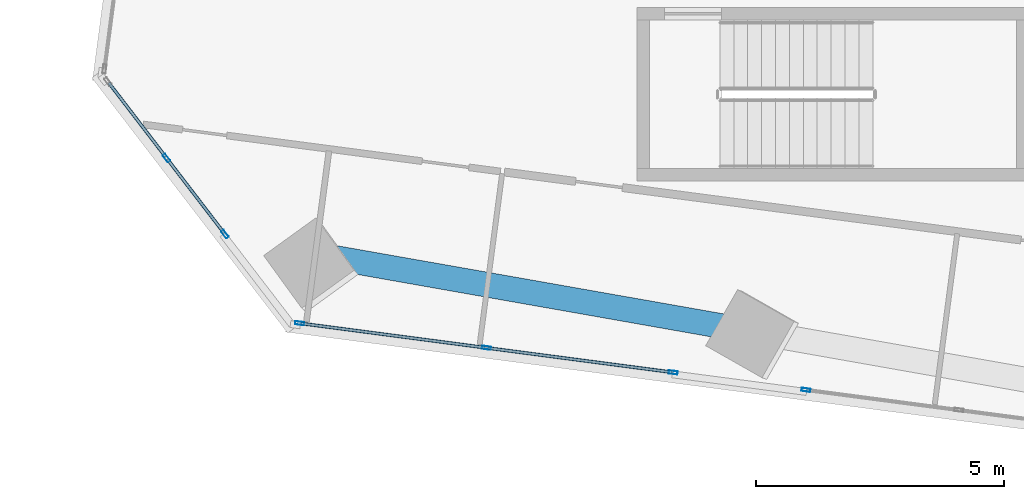
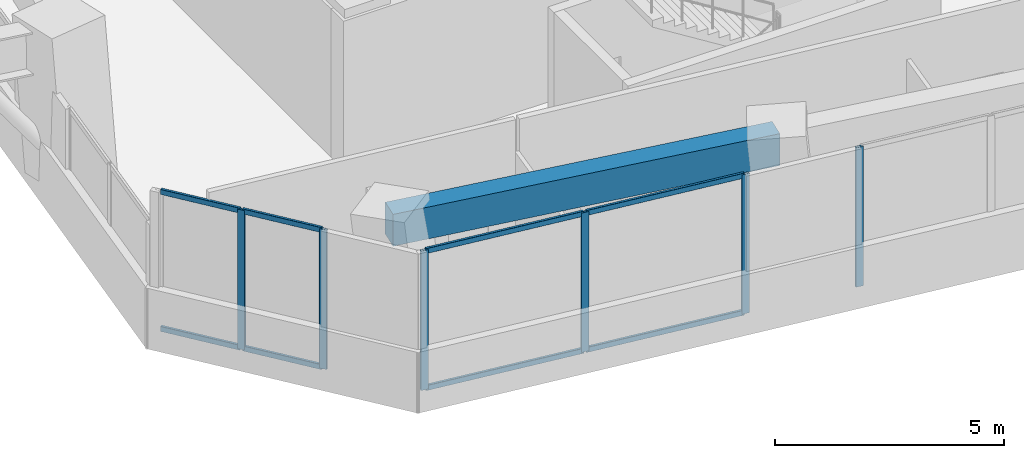
# One storey, part 2 of 24: 14 members, 1 beam, 3 elements without a shape of their own.
"""IFC4 building model written with IfcOpenShell, lengths in metres."""

from ifc_helpers import new_model, si_unit, direction, frame, origin, origin_2d, place, context, subcontext, project, spatial, rectangle, hollow_rectangle, extrude, source, transform, mapped, material, material_profile, profile_set, type_object, element, aggregate, save


model = new_model("IFC4")

# Units and contexts
model_context = context("Model", 3, precision=1e-05, world=origin(), true_north=direction((0.0, 1.0)))
body_context = subcontext(model_context, "Body", "Model", "MODEL_VIEW")
ifc_project = project(units=[si_unit("LENGTHUNIT", "METRE"), si_unit("AREAUNIT", "SQUARE_METRE"), si_unit("VOLUMEUNIT", "CUBIC_METRE"), si_unit("PLANEANGLEUNIT", "RADIAN"), si_unit("MASSUNIT", "GRAM", prefix="KILO")], contexts=[model_context])

# Site, building, storey
site_placement = place(None, origin())
site = spatial("IfcSite", under=ifc_project, at=site_placement, CompositionType="ELEMENT")
building_placement = place(site_placement, origin())
building = spatial("IfcBuilding", under=site, at=building_placement, Name="Torre Montelarca", CompositionType="ELEMENT")
storey_placement = place(building_placement, frame((0.0, 0.0, 70.60009765625)))
storey = spatial("IfcBuildingStorey", under=building, at=storey_placement, Name="L15", CompositionType="ELEMENT", Elevation=70.60009765625)

# Beam
ifc_material_1 = material(Name="Concrete C55/67", Category="concrete")
ifc_material_profile_1 = material_profile(ifc_material_1, rectangle(XDim=0.5, YDim=0.85009765625, at=origin_2d()), Name="RCB500X850", Category="concrete")
ifc_profile_set_1 = profile_set([ifc_material_profile_1], Name="Concrete C55/67")
beam_type = type_object("IfcBeamType", Name="BM-SP-RC850-EXT", PredefinedType="SPANDREL", material=ifc_profile_set_1)
shared_shape_1 = source(origin(), body_context, "Body", "SweptSolid", [
    extrude(rectangle(XDim=0.5, YDim=0.85009765625, at=origin_2d()), origin(), (0.0, 0.0, 1.0), 9.0),
])
beam_placement = place(storey_placement, frame((6.203125, 17.23193359375, 3.534912109375), z_axis=(0.984809491212, -0.173638319558, 0.0), x_axis=(0.173638319558, 0.984809491212, 0.0)))
element("IfcBeam", 1, at=beam_placement, inside=storey, type_object=beam_type, Name="L15 Grid Girder X 9.0-18.0 at Y=14.8", PredefinedType="SPANDREL", context=body_context, shape_type="MappedRepresentation", body=[
    mapped(shared_shape_1, transform((0.0, 0.0, 0.0), scale=1.0)),
])

# Curtain wall, members
ifc_material_2 = material(Name="Insulated low-E laminated glass", Category="glass")
curtain_wall_type = type_object("IfcCurtainWallType", Name="CW-SYS-Z1", PredefinedType="USERDEFINED", material=ifc_material_2)
curtain_wall_1_placement = place(storey_placement, origin())
curtain_wall_1 = element("IfcCurtainWall", 2, at=curtain_wall_1_placement, inside=storey, type_object=curtain_wall_type, Name="L15 Curtain Wall Run CW-T3-L15-E01-B1", ObjectType="UNITISED GLAZING", PredefinedType="USERDEFINED")
ifc_material_3 = material(Name="Anodised aluminium AA 6063-T6", Category="aluminium")
ifc_material_profile_2 = material_profile(ifc_material_3, hollow_rectangle(XDim=0.06494140625, YDim=0.139892578125, WallThickness=0.00390625, InnerFilletRadius=0.00390625, OuterFilletRadius=0.008056640625, at=origin_2d()), Name="ALU65X140X4", Category="aluminium")
ifc_profile_set_2 = profile_set([ifc_material_profile_2], Name="Anodised aluminium AA 6063-T6")
member_type_1 = type_object("IfcMemberType", Name="CWT-ALU140", PredefinedType="USERDEFINED", material=ifc_profile_set_2)
shared_shape_2 = source(origin(), body_context, "Body", "SweptSolid", [
    extrude(hollow_rectangle(XDim=0.06494140625, YDim=0.139892578125, WallThickness=0.00390625, InnerFilletRadius=0.00390625, OuterFilletRadius=0.008056640625, at=origin_2d()), origin(), (0.0, 0.0, 1.0), 3.731201171875),
])
member_1_placement = place(storey_placement, frame((6.283203125, 15.77734375, 0.032470703125), z_axis=(0.991443156268, -0.130539143133, 0.0), x_axis=(0.130539143133, 0.991443156268, 0.0)))
member_1 = element("IfcMember", 3, at=member_1_placement, type_object=member_type_1, Name="CW transom 1.1", ObjectType="TRANSOM", PredefinedType="USERDEFINED", context=body_context, shape_type="MappedRepresentation", body=[
    mapped(shared_shape_2, transform((0.0, 0.0, 0.0), scale=1.0)),
])
member_2_placement = place(storey_placement, frame((6.283203125, 15.77734375, 3.6875), z_axis=(0.991443156268, -0.130539143133, 0.0), x_axis=(0.130539143133, 0.991443156268, 0.0)))
member_2 = element("IfcMember", 4, at=member_2_placement, type_object=member_type_1, Name="CW transom 1.2", ObjectType="TRANSOM", PredefinedType="USERDEFINED", context=body_context, shape_type="MappedRepresentation", body=[
    mapped(shared_shape_2, transform((0.0, 0.0, 0.0), scale=1.0)),
])

curtain_wall_2_placement = place(storey_placement, origin())
curtain_wall_2 = element("IfcCurtainWall", 5, at=curtain_wall_2_placement, inside=storey, type_object=curtain_wall_type, Name="L15 Curtain Wall Run CW-T3-L15-E11-B1", ObjectType="UNITISED GLAZING", PredefinedType="USERDEFINED")
shared_shape_3 = source(origin(), body_context, "Body", "SweptSolid", [
    extrude(hollow_rectangle(XDim=0.06494140625, YDim=0.139892578125, WallThickness=0.00390625, InnerFilletRadius=0.00390625, OuterFilletRadius=0.008056640625, at=origin_2d()), origin(), (0.0, 0.0, 1.0), 1.870849609375),
])
member_3_placement = place(storey_placement, frame((2.406982421875, 20.62353515625, 0.032470703125), z_axis=(0.608732839803, -0.793375276742, 0.0), x_axis=(0.793375276742, 0.608732839803, 0.0)))
member_3 = element("IfcMember", 6, at=member_3_placement, type_object=member_type_1, Name="CW transom 1.1", ObjectType="TRANSOM", PredefinedType="USERDEFINED", context=body_context, shape_type="MappedRepresentation", body=[
    mapped(shared_shape_3, transform((0.0, 0.0, 0.0), scale=1.0)),
])
member_4_placement = place(storey_placement, frame((2.406982421875, 20.62353515625, 3.6875), z_axis=(0.608732839803, -0.793375276742, 0.0), x_axis=(0.793375276742, 0.608732839803, 0.0)))
member_4 = element("IfcMember", 7, at=member_4_placement, type_object=member_type_1, Name="CW transom 1.2", ObjectType="TRANSOM", PredefinedType="USERDEFINED", context=body_context, shape_type="MappedRepresentation", body=[
    mapped(shared_shape_3, transform((0.0, 0.0, 0.0), scale=1.0)),
])
member_5_placement = place(storey_placement, frame((3.58544921875, 19.087646484375, 0.032470703125), z_axis=(0.608732839803, -0.793375276742, 0.0), x_axis=(0.793375276742, 0.608732839803, 0.0)))
member_5 = element("IfcMember", 8, at=member_5_placement, type_object=member_type_1, Name="CW transom 2.1", ObjectType="TRANSOM", PredefinedType="USERDEFINED", context=body_context, shape_type="MappedRepresentation", body=[
    mapped(shared_shape_3, transform((0.0, 0.0, 0.0), scale=1.0)),
])
member_6_placement = place(storey_placement, frame((3.58544921875, 19.087646484375, 3.6875), z_axis=(0.608732839803, -0.793375276742, 0.0), x_axis=(0.793375276742, 0.608732839803, 0.0)))
member_6 = element("IfcMember", 9, at=member_6_placement, type_object=member_type_1, Name="CW transom 2.2", ObjectType="TRANSOM", PredefinedType="USERDEFINED", context=body_context, shape_type="MappedRepresentation", body=[
    mapped(shared_shape_3, transform((0.0, 0.0, 0.0), scale=1.0)),
])

# Member
ifc_material_profile_3 = material_profile(ifc_material_3, hollow_rectangle(XDim=0.06494140625, YDim=0.179931640625, WallThickness=0.00390625, InnerFilletRadius=0.00390625, OuterFilletRadius=0.008056640625, at=origin_2d()), Name="ALU65X180X4", Category="aluminium")
ifc_profile_set_3 = profile_set([ifc_material_profile_3], Name="Anodised aluminium AA 6063-T6")
member_type_2 = type_object("IfcMemberType", Name="CWM-ALU180", PredefinedType="MULLION", material=ifc_profile_set_3)
shared_shape_4 = source(origin(), body_context, "Body", "SweptSolid", [
    extrude(hollow_rectangle(XDim=0.06494140625, YDim=0.179931640625, WallThickness=0.00390625, InnerFilletRadius=0.00390625, OuterFilletRadius=0.008056640625, at=origin_2d()), origin(), (0.0, 0.0, 1.0), 3.719970703125),
])
member_7_placement = place(storey_placement, frame((6.2509765625, 15.781494140625, 0.0), z_axis=(0.0, 0.0, 1.0), x_axis=(0.13051937554, 0.991445758783, 0.0)))
member_7 = element("IfcMember", 10, at=member_7_placement, type_object=member_type_2, Name="CW mullion 1", PredefinedType="MULLION", context=body_context, shape_type="MappedRepresentation", body=[
    mapped(shared_shape_4, transform((0.0, 0.0, 0.0), scale=1.0)),
])

member_8_placement = place(storey_placement, frame((10.0146484375, 15.2861328125, 0.0), z_axis=(0.0, 0.0, 1.0), x_axis=(0.13051937554, 0.991445758783, 0.0)))
member_8 = element("IfcMember", 11, at=member_8_placement, type_object=member_type_2, Name="CW mullion 2", PredefinedType="MULLION", context=body_context, shape_type="MappedRepresentation", body=[
    mapped(shared_shape_4, transform((0.0, 0.0, 0.0), scale=1.0)),
])

member_9_placement = place(storey_placement, frame((13.778076171875, 14.79052734375, 0.0), z_axis=(0.0, 0.0, 1.0), x_axis=(0.13051937554, 0.991445758783, 0.0)))
member_9 = element("IfcMember", 12, at=member_9_placement, type_object=member_type_2, Name="CW mullion 3", PredefinedType="MULLION", context=body_context, shape_type="MappedRepresentation", body=[
    mapped(shared_shape_4, transform((0.0, 0.0, 0.0), scale=1.0)),
])

# Curtain wall, member
curtain_wall_3_placement = place(storey_placement, origin())
curtain_wall_3 = element("IfcCurtainWall", 13, at=curtain_wall_3_placement, inside=storey, type_object=curtain_wall_type, Name="L15 Curtain Wall Run CW-T3-L15-E01-B2", ObjectType="UNITISED GLAZING", PredefinedType="USERDEFINED")
member_10_placement = place(storey_placement, frame((16.45263671875, 14.4384765625, 0.0), z_axis=(0.0, 0.0, 1.0), x_axis=(0.130524905583, 0.991445030762, 0.0)))
member_10 = element("IfcMember", 14, at=member_10_placement, type_object=member_type_2, Name="CW mullion 1", PredefinedType="MULLION", context=body_context, shape_type="MappedRepresentation", body=[
    mapped(shared_shape_4, transform((0.0, 0.0, 0.0), scale=1.0)),
])
aggregate(curtain_wall_3, [member_10])

# Member
member_11_placement = place(storey_placement, frame((3.565673828125, 19.113525390625, 0.0), z_axis=(0.0, 0.0, 1.0), x_axis=(0.793352405672, 0.608762647027, 0.0)))
member_11 = element("IfcMember", 15, at=member_11_placement, type_object=member_type_2, Name="CW mullion 2", PredefinedType="MULLION", context=body_context, shape_type="MappedRepresentation", body=[
    mapped(shared_shape_4, transform((0.0, 0.0, 0.0), scale=1.0)),
])

member_12_placement = place(storey_placement, frame((4.744140625, 17.57763671875, 0.0), z_axis=(0.0, 0.0, 1.0), x_axis=(0.793352405672, 0.608762647027, 0.0)))
member_12 = element("IfcMember", 16, at=member_12_placement, type_object=member_type_2, Name="CW mullion 3", PredefinedType="MULLION", context=body_context, shape_type="MappedRepresentation", body=[
    mapped(shared_shape_4, transform((0.0, 0.0, 0.0), scale=1.0)),
])

aggregate(curtain_wall_2, [member_11, member_12, member_3, member_4, member_5, member_6])

shared_shape_5 = source(origin(), body_context, "Body", "SweptSolid", [
    extrude(hollow_rectangle(XDim=0.06494140625, YDim=0.139892578125, WallThickness=0.00390625, InnerFilletRadius=0.00390625, OuterFilletRadius=0.008056640625, at=origin_2d()), origin(), (0.0, 0.0, 1.0), 3.73095703125),
])
member_13_placement = place(storey_placement, frame((10.046875, 15.28173828125, 0.032470703125), z_axis=(0.991450508722, -0.130483289182, 0.0), x_axis=(0.130483289182, 0.991450508722, 0.0)))
member_13 = element("IfcMember", 17, at=member_13_placement, type_object=member_type_1, Name="CW transom 2.1", ObjectType="TRANSOM", PredefinedType="USERDEFINED", context=body_context, shape_type="MappedRepresentation", body=[
    mapped(shared_shape_5, transform((0.0, 0.0, 0.0), scale=1.0)),
])

member_14_placement = place(storey_placement, frame((10.046875, 15.28173828125, 3.6875), z_axis=(0.991450508722, -0.130483289182, 0.0), x_axis=(0.130483289182, 0.991450508722, 0.0)))
member_14 = element("IfcMember", 18, at=member_14_placement, type_object=member_type_1, Name="CW transom 2.2", ObjectType="TRANSOM", PredefinedType="USERDEFINED", context=body_context, shape_type="MappedRepresentation", body=[
    mapped(shared_shape_5, transform((0.0, 0.0, 0.0), scale=1.0)),
])

aggregate(curtain_wall_1, [member_7, member_8, member_9, member_1, member_2, member_13, member_14])

save(model, "model.ifc")
